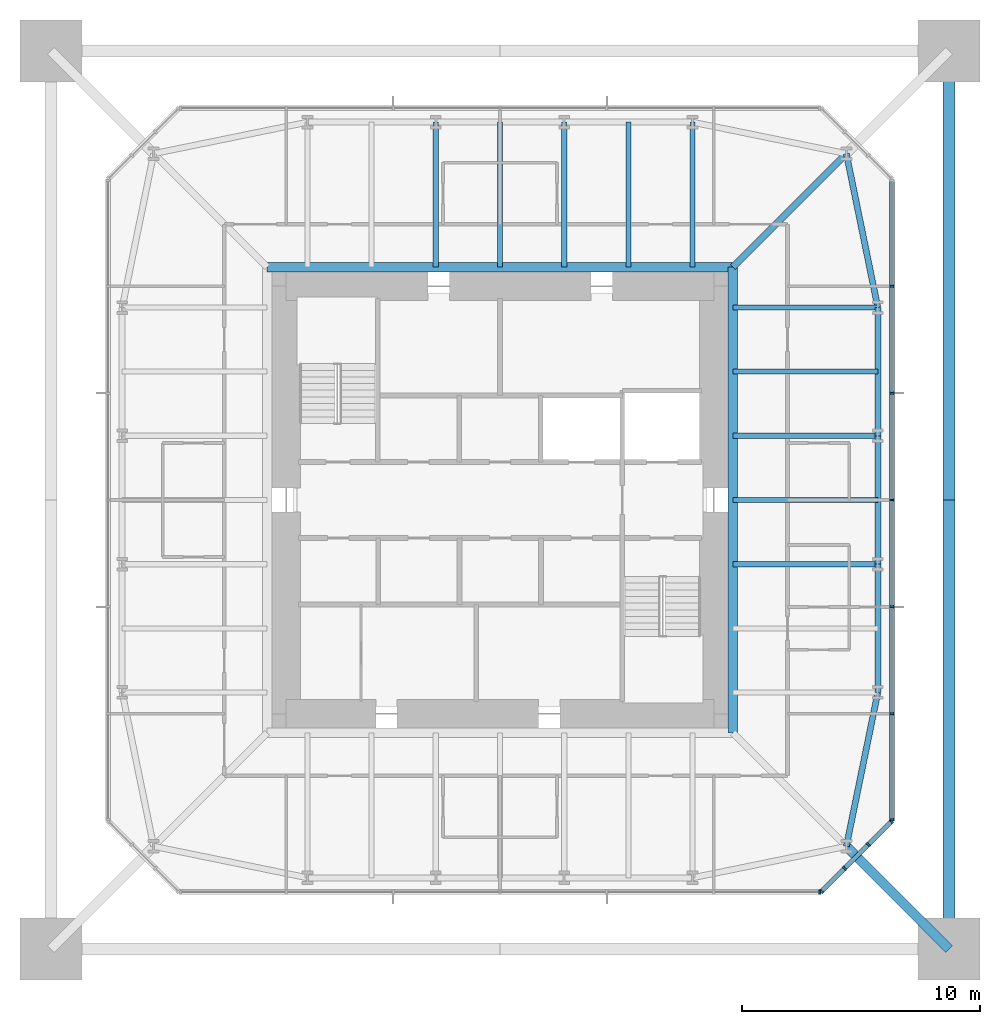
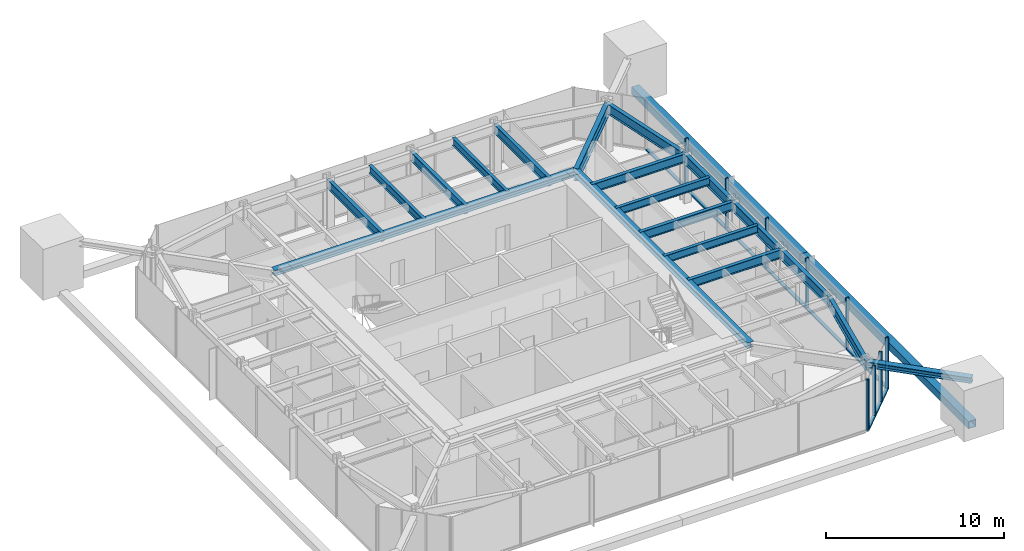
# One storey, part 4 of 10: 23 members, 18 beams, 3 elements without a shape of their own.
"""IFC4 building model written with IfcOpenShell, lengths in metres."""

import ifcopenshell
import ifcopenshell.guid

model = None  # the IFC model being written
_history = None  # IfcOwnerHistory: only IFC2X3 demands one
_inside = {}  # id of a spatial element -> (the spatial element, [elements in it])
_under = {}  # id of a project, library or spatial element -> (it, [spatial elements below it])
_declared = {}  # id of a project -> (the project, [libraries it declares])
_typed = {}  # id of a type object -> (the type object, [elements of that type])
_made_of = {}  # id of a material, layer set ... -> (it, [elements and type objects made of it])


def new_model(schema):
    """Start an empty IFC model of exactly this schema.

    Asked for "IFC4X3", IfcOpenShell would pick the latest addendum, in which some entities
    have other attributes; the version numbers below select the first issue.
    IFC2X3 requires an IfcOwnerHistory on every rooted entity: one is made here for all.
    """
    global model, _history
    if schema == "IFC4X3":
        model = ifcopenshell.file(schema_version=(4, 3, 0, 0))
    else:
        model = ifcopenshell.file(schema=schema)
    _inside.clear()
    _under.clear()
    _declared.clear()
    _typed.clear()
    _made_of.clear()
    _history = None
    if model.schema == "IFC2X3":
        org = make("IfcOrganization", Name="unknown")
        user = make(
            "IfcPersonAndOrganization",
            ThePerson=make("IfcPerson", FamilyName="unknown"),
            TheOrganization=org,
        )
        app = make(
            "IfcApplication",
            ApplicationDeveloper=org,
            Version="unknown",
            ApplicationFullName="unknown",
            ApplicationIdentifier="unknown",
        )
        _history = make(
            "IfcOwnerHistory",
            OwningUser=user,
            OwningApplication=app,
            ChangeAction="ADDED",
            CreationDate=0,
        )
    return model


def make(cls, **values):
    """One entity of the class cls with the attributes given. An attribute that is None is left unset."""
    return model.create_entity(
        cls, **{name: value for name, value in values.items() if value is not None}
    )


def rooted(cls, **values):
    """An entity with a GlobalId (a new one), such as an element, a storey or a relation."""
    return make(cls, GlobalId=ifcopenshell.guid.new(), OwnerHistory=_history, **values)


def si_unit(unit_type, name, prefix=None):
    """IfcSIUnit, for example si_unit("LENGTHUNIT", "METRE", prefix="MILLI")."""
    return make("IfcSIUnit", UnitType=unit_type, Prefix=prefix, Name=name)


def assignment(units):
    """IfcUnitAssignment: the units of a project."""
    return None if units is None else make("IfcUnitAssignment", Units=units)


def point(xyz):
    """IfcCartesianPoint."""
    return None if xyz is None else make("IfcCartesianPoint", Coordinates=xyz)


def direction(xyz):
    """IfcDirection."""
    return None if xyz is None else make("IfcDirection", DirectionRatios=xyz)


def frame(location, z_axis=None, x_axis=None):
    """IfcAxis2Placement3D, a coordinate frame: its origin and axes. An axis left out is left unset."""
    return make(
        "IfcAxis2Placement3D",
        Location=point(location),
        Axis=direction(z_axis),
        RefDirection=direction(x_axis),
    )


def frame_2d(location, x_axis=None):
    """IfcAxis2Placement2D, a coordinate frame in the plane: its origin and x axis."""
    return make(
        "IfcAxis2Placement2D", Location=point(location), RefDirection=direction(x_axis)
    )


def origin():
    """The frame at (0, 0, 0) with its axes left unset."""
    return frame((0.0, 0.0, 0.0))


def origin_2d():
    """The frame at (0, 0) in the plane with its x axis left unset."""
    return frame_2d((0.0, 0.0))


def place(relative_to, where):
    """IfcLocalPlacement: puts the frame where relative to a parent placement (None: the world)."""
    return make(
        "IfcLocalPlacement", PlacementRelTo=relative_to, RelativePlacement=where
    )


def context(
    kind, dimensions, precision=None, world=None, true_north=None, identifier=None
):
    """IfcGeometricRepresentationContext, for example the 3D "Model" context."""
    return make(
        "IfcGeometricRepresentationContext",
        ContextIdentifier=identifier,
        ContextType=kind,
        CoordinateSpaceDimension=dimensions,
        Precision=precision,
        WorldCoordinateSystem=world,
        TrueNorth=true_north,
    )


def subcontext(parent, identifier, kind, view, scale=None):
    """IfcGeometricRepresentationSubContext, for example "Body" below "Model"."""
    return make(
        "IfcGeometricRepresentationSubContext",
        ContextIdentifier=identifier,
        ContextType=kind,
        ParentContext=parent,
        TargetScale=scale,
        TargetView=view,
    )


def project(units=None, contexts=None):
    """IfcProject with its units and contexts."""
    return rooted(
        "IfcProject",
        Name="project",
        RepresentationContexts=contexts,
        UnitsInContext=assignment(units),
    )


def spatial(cls, under=None, at=None, **own):
    """A site, building, storey or space (cls), placed at a placement, below another one or the project."""
    s = rooted(cls, ObjectPlacement=at, **own)
    if under is not None:
        _under.setdefault(under.id(), (under, []))[1].append(s)
    return s


def profile(cls, at=None, kind="AREA", **sizes):
    """A parametric profile (cls). Its sizes go by their IFC names, for example OverallWidth=200.0."""
    return make(cls, ProfileType=kind, Position=at, **sizes)


def rectangle(**sizes):
    """IfcRectangleProfileDef."""
    return profile("IfcRectangleProfileDef", **sizes)


def hollow_rectangle(**sizes):
    """IfcRectangleHollowProfileDef."""
    return profile("IfcRectangleHollowProfileDef", **sizes)


def i_section(**sizes):
    """IfcIShapeProfileDef."""
    return profile("IfcIShapeProfileDef", **sizes)


def extrude(swept, where, along, depth):
    """IfcExtrudedAreaSolid: the profile swept, set in the frame where, extruded along a direction by depth."""
    return make(
        "IfcExtrudedAreaSolid",
        SweptArea=swept,
        Position=where,
        ExtrudedDirection=direction(along),
        Depth=depth,
    )


def shape(context_of_items, identifier, shape_type, items):
    """IfcShapeRepresentation: the items that make up one representation, for example the "Body"."""
    return make(
        "IfcShapeRepresentation",
        ContextOfItems=context_of_items,
        RepresentationIdentifier=identifier,
        RepresentationType=shape_type,
        Items=items,
    )


def material(Name=None, Category=None):
    """IfcMaterial."""
    return make("IfcMaterial", Name=Name, Category=Category)


def material_profile(
    of_material, cross_section, Name=None, Category=None, Priority=None
):
    """IfcMaterialProfile: a cross section and its material."""
    return make(
        "IfcMaterialProfile",
        Name=Name,
        Material=of_material,
        Profile=cross_section,
        Priority=Priority,
        Category=Category,
    )


def profile_set(profiles, Name=None, composite=None):
    """IfcMaterialProfileSet."""
    return make(
        "IfcMaterialProfileSet",
        Name=Name,
        MaterialProfiles=profiles,
        CompositeProfile=composite,
    )


def made_of(thing, what):
    """Note that an element or type object is made of a material, layer set ...; save() writes the relation."""
    if what is not None:
        _made_of.setdefault(what.id(), (what, []))[1].append(thing)
    return thing


def type_object(cls, material=None, **own):
    """A type object (cls), such as IfcWallType, which elements share."""
    return made_of(rooted(cls, **own), material)


def element(
    cls,
    number,
    at=None,
    inside=None,
    cuts=None,
    type_object=None,
    material=None,
    context=None,
    identifier="Body",
    shape_type=None,
    held_by="IfcProductDefinitionShape",
    body=None,
    shapes=None,
    **own,
):
    """One element of the class cls, such as IfcWall. Its Tag is "e" and its number.

    at: its placement. inside: the storey or other place that contains it. cuts: it is an
    opening in that element (IfcRelVoidsElement). A single representation is given by context,
    identifier, shape_type and body (its items); several are given by shapes. held_by: the class
    of the entity that holds the representations. save() writes the other relations.
    """
    e = rooted(cls, Tag="e%d" % number, ObjectPlacement=at, **own)
    if body is not None:
        shapes = [shape(context, identifier, shape_type, body)]
    if shapes is not None:
        e.Representation = make(held_by, Representations=shapes)
    if inside is not None:
        _inside.setdefault(inside.id(), (inside, []))[1].append(e)
    if cuts is not None:
        rooted(
            "IfcRelVoidsElement", RelatingBuildingElement=cuts, RelatedOpeningElement=e
        )
    if type_object is not None:
        _typed.setdefault(type_object.id(), (type_object, []))[1].append(e)
    return made_of(e, material)


def aggregate(whole, parts):
    """IfcRelAggregates: a whole, such as a stair, and the parts it consists of."""
    return rooted("IfcRelAggregates", RelatingObject=whole, RelatedObjects=parts)


def save(model, path):
    """Write the relations noted so far, then the file.

    IfcRelAggregates (storeys below a building ...), IfcRelContainedInSpatialStructure (elements
    in a storey), IfcRelDefinesByType, IfcRelAssociatesMaterial and IfcRelDeclares: one each for
    every whole, place, type object, material and project.
    """
    for whole, parts in _under.values():
        aggregate(whole, parts)
    for where, things in _inside.values():
        rooted(
            "IfcRelContainedInSpatialStructure",
            RelatedElements=things,
            RelatingStructure=where,
        )
    for kind, things in _typed.values():
        rooted("IfcRelDefinesByType", RelatedObjects=things, RelatingType=kind)
    for what, things in _made_of.values():
        rooted("IfcRelAssociatesMaterial", RelatedObjects=things, RelatingMaterial=what)
    for by, libraries in _declared.values():
        rooted("IfcRelDeclares", RelatingContext=by, RelatedDefinitions=libraries)
    model.write(path)


model = new_model("IFC4")

# Units and contexts
model_context = context("Model", 3, precision=1e-05, world=origin(), true_north=direction((0.0, 1.0)))
body_context = subcontext(model_context, "Body", "Model", "MODEL_VIEW")
ifc_project = project(units=[si_unit("LENGTHUNIT", "METRE"), si_unit("AREAUNIT", "SQUARE_METRE"), si_unit("VOLUMEUNIT", "CUBIC_METRE"), si_unit("PLANEANGLEUNIT", "RADIAN"), si_unit("MASSUNIT", "GRAM", prefix="KILO")], contexts=[model_context])

# Site, building, storey
site_placement = place(None, origin())
site = spatial("IfcSite", under=ifc_project, at=site_placement, CompositionType="ELEMENT")
building_placement = place(site_placement, origin())
building = spatial("IfcBuilding", under=site, at=building_placement, Name="Iwan Alto Co-Living Towers", CompositionType="ELEMENT")
storey_placement = place(building_placement, frame((0.0, 0.0, 253.5)))
storey = spatial("IfcBuildingStorey", under=building, at=storey_placement, Name="L69", CompositionType="ELEMENT", Elevation=253.5)

# Curtain wall, member
ifc_material_1 = material(Name="Bronze aluminium unitised frame", Category="aluminium")
curtain_wall_type_1 = type_object("IfcCurtainWallType", Name="CURTAIN WALL CW-A", PredefinedType="NOTDEFINED", material=ifc_material_1)
curtain_wall_1_placement = place(storey_placement, origin())
curtain_wall_1 = element("IfcCurtainWall", 1, at=curtain_wall_1_placement, inside=storey, type_object=curtain_wall_type_1, Name="T1 curtain wall S L69", PredefinedType="NOTDEFINED")
ifc_material_2 = material(Name="Aluminium 6063-T6 bronze anodised", Category="aluminium")
ifc_material_profile_1 = material_profile(ifc_material_2, rectangle(XDim=0.199951171875, YDim=0.080078125, at=origin_2d()), Name="AL 80X200")
ifc_profile_set_1 = profile_set([ifc_material_profile_1], Name="Aluminium 6063-T6 bronze anodised")
member_type_1 = type_object("IfcMemberType", Name="CW-A MULLION 80X200", PredefinedType="MULLION", material=ifc_profile_set_1)
member_1_placement = place(storey_placement, frame((13.4599609375, -16.5, 0.0), z_axis=(0.0, 0.0, 1.0), x_axis=(0.0, 1.0, 0.0)))
member_1 = element("IfcMember", 2, at=member_1_placement, type_object=member_type_1, Name="CW-A mullion 7", PredefinedType="MULLION", context=body_context, shape_type="SweptSolid", body=[
    extrude(rectangle(XDim=0.199951171875, YDim=0.080078125, at=origin_2d()), origin(), (0.0, 0.0, 1.0), 3.5),
])
aggregate(curtain_wall_1, [member_1])

# Curtain wall, members
curtain_wall_2_placement = place(storey_placement, origin())
curtain_wall_2 = element("IfcCurtainWall", 3, at=curtain_wall_2_placement, inside=storey, type_object=curtain_wall_type_1, Name="T1 curtain wall E L69", PredefinedType="NOTDEFINED")
member_2_placement = place(storey_placement, frame((16.5, -13.4599609375, 0.0), z_axis=(0.0, 0.0, 1.0), x_axis=(-1.0, 0.0, 0.0)))
member_2 = element("IfcMember", 4, at=member_2_placement, type_object=member_type_1, Name="CW-A mullion 1", PredefinedType="MULLION", context=body_context, shape_type="SweptSolid", body=[
    extrude(rectangle(XDim=0.199951171875, YDim=0.080078125, at=origin_2d()), origin(), (0.0, 0.0, 1.0), 3.5),
])
member_3_placement = place(storey_placement, frame((16.5, -9.0, 0.0), z_axis=(0.0, 0.0, 1.0), x_axis=(-1.0, 0.0, 0.0)))
member_3 = element("IfcMember", 5, at=member_3_placement, type_object=member_type_1, Name="CW-A mullion 2", PredefinedType="MULLION", context=body_context, shape_type="SweptSolid", body=[
    extrude(rectangle(XDim=0.199951171875, YDim=0.080078125, at=origin_2d()), origin(), (0.0, 0.0, 1.0), 3.5),
])
member_4_placement = place(storey_placement, frame((16.5, -4.5, 0.0), z_axis=(0.0, 0.0, 1.0), x_axis=(-1.0, 0.0, 0.0)))
member_4 = element("IfcMember", 6, at=member_4_placement, type_object=member_type_1, Name="CW-A mullion 3", PredefinedType="MULLION", context=body_context, shape_type="SweptSolid", body=[
    extrude(rectangle(XDim=0.199951171875, YDim=0.080078125, at=origin_2d()), origin(), (0.0, 0.0, 1.0), 3.5),
])
member_5_placement = place(storey_placement, frame((16.5, 0.0, 0.0), z_axis=(0.0, 0.0, 1.0), x_axis=(-1.0, 0.0, 0.0)))
member_5 = element("IfcMember", 7, at=member_5_placement, type_object=member_type_1, Name="CW-A mullion 4", PredefinedType="MULLION", context=body_context, shape_type="SweptSolid", body=[
    extrude(rectangle(XDim=0.199951171875, YDim=0.080078125, at=origin_2d()), origin(), (0.0, 0.0, 1.0), 3.5),
])
member_6_placement = place(storey_placement, frame((16.5, 4.5, 0.0), z_axis=(0.0, 0.0, 1.0), x_axis=(-1.0, 0.0, 0.0)))
member_6 = element("IfcMember", 8, at=member_6_placement, type_object=member_type_1, Name="CW-A mullion 5", PredefinedType="MULLION", context=body_context, shape_type="SweptSolid", body=[
    extrude(rectangle(XDim=0.199951171875, YDim=0.080078125, at=origin_2d()), origin(), (0.0, 0.0, 1.0), 3.5),
])
member_7_placement = place(storey_placement, frame((16.5, 9.0, 0.0), z_axis=(0.0, 0.0, 1.0), x_axis=(-1.0, 0.0, 0.0)))
member_7 = element("IfcMember", 9, at=member_7_placement, type_object=member_type_1, Name="CW-A mullion 6", PredefinedType="MULLION", context=body_context, shape_type="SweptSolid", body=[
    extrude(rectangle(XDim=0.199951171875, YDim=0.080078125, at=origin_2d()), origin(), (0.0, 0.0, 1.0), 3.5),
])
ifc_material_3 = material(Name="Aluminium 6063-T6 bronze anodised", Category="aluminium")
ifc_material_profile_2 = material_profile(ifc_material_3, rectangle(XDim=0.199951171875, YDim=0.10009765625, at=origin_2d()), Name="AL 200X100")
ifc_profile_set_2 = profile_set([ifc_material_profile_2], Name="Aluminium 6063-T6 bronze anodised")
member_type_2 = type_object("IfcMemberType", Name="CW-A TRANSOM 200X100", PredefinedType="USERDEFINED", material=ifc_profile_set_2)
member_8_placement = place(storey_placement, frame((16.5, -13.419921875, 0.050048828125), z_axis=(0.0, 1.0, 0.0), x_axis=(-1.0, 0.0, 0.0)))
member_8 = element("IfcMember", 10, at=member_8_placement, type_object=member_type_2, Name="CW-A transom 1.1", ObjectType="TRANSOM", PredefinedType="USERDEFINED", context=body_context, shape_type="SweptSolid", body=[
    extrude(rectangle(XDim=0.199951171875, YDim=0.10009765625, at=origin_2d()), origin(), (0.0, 0.0, 1.0), 4.3798828125),
])
member_9_placement = place(storey_placement, frame((16.5, -8.9599609375, 0.050048828125), z_axis=(0.0, 1.0, 0.0), x_axis=(-1.0, 0.0, 0.0)))
member_9 = element("IfcMember", 11, at=member_9_placement, type_object=member_type_2, Name="CW-A transom 2.1", ObjectType="TRANSOM", PredefinedType="USERDEFINED", context=body_context, shape_type="SweptSolid", body=[
    extrude(rectangle(XDim=0.199951171875, YDim=0.10009765625, at=origin_2d()), origin(), (0.0, 0.0, 1.0), 4.419921875),
])
member_10_placement = place(storey_placement, frame((16.5, -4.4599609375, 0.050048828125), z_axis=(0.0, 1.0, 0.0), x_axis=(-1.0, 0.0, 0.0)))
member_10 = element("IfcMember", 12, at=member_10_placement, type_object=member_type_2, Name="CW-A transom 3.1", ObjectType="TRANSOM", PredefinedType="USERDEFINED", context=body_context, shape_type="SweptSolid", body=[
    extrude(rectangle(XDim=0.199951171875, YDim=0.10009765625, at=origin_2d()), origin(), (0.0, 0.0, 1.0), 4.419921875),
])
member_11_placement = place(storey_placement, frame((16.5, 0.0400390625, 0.050048828125), z_axis=(0.0, 1.0, 0.0), x_axis=(-1.0, 0.0, 0.0)))
member_11 = element("IfcMember", 13, at=member_11_placement, type_object=member_type_2, Name="CW-A transom 4.1", ObjectType="TRANSOM", PredefinedType="USERDEFINED", context=body_context, shape_type="SweptSolid", body=[
    extrude(rectangle(XDim=0.199951171875, YDim=0.10009765625, at=origin_2d()), origin(), (0.0, 0.0, 1.0), 4.419921875),
])
member_12_placement = place(storey_placement, frame((16.5, 4.5400390625, 0.050048828125), z_axis=(0.0, 1.0, 0.0), x_axis=(-1.0, 0.0, 0.0)))
member_12 = element("IfcMember", 14, at=member_12_placement, type_object=member_type_2, Name="CW-A transom 5.1", ObjectType="TRANSOM", PredefinedType="USERDEFINED", context=body_context, shape_type="SweptSolid", body=[
    extrude(rectangle(XDim=0.199951171875, YDim=0.10009765625, at=origin_2d()), origin(), (0.0, 0.0, 1.0), 4.419921875),
])
member_13_placement = place(storey_placement, frame((16.5, 9.0400390625, 0.050048828125), z_axis=(0.0, 1.0, 0.0), x_axis=(-1.0, 0.0, 0.0)))
member_13 = element("IfcMember", 15, at=member_13_placement, type_object=member_type_2, Name="CW-A transom 6.1", ObjectType="TRANSOM", PredefinedType="USERDEFINED", context=body_context, shape_type="SweptSolid", body=[
    extrude(rectangle(XDim=0.199951171875, YDim=0.10009765625, at=origin_2d()), origin(), (0.0, 0.0, 1.0), 4.3798828125),
])
aggregate(curtain_wall_2, [member_2, member_3, member_4, member_5, member_6, member_7, member_8, member_9, member_10, member_11, member_12, member_13])

ifc_material_4 = material(Name="Bronze aluminium unitised frame", Category="aluminium")
curtain_wall_type_2 = type_object("IfcCurtainWallType", Name="CURTAIN WALL CW-B", PredefinedType="NOTDEFINED", material=ifc_material_4)
curtain_wall_3_placement = place(storey_placement, origin())
curtain_wall_3 = element("IfcCurtainWall", 16, at=curtain_wall_3_placement, inside=storey, type_object=curtain_wall_type_2, Name="T1 chamfer curtain wall SE L69", PredefinedType="NOTDEFINED")
ifc_material_5 = material(Name="Aluminium 6063-T6 bronze anodised", Category="aluminium")
ifc_material_profile_3 = material_profile(ifc_material_5, rectangle(XDim=0.199951171875, YDim=0.080078125, at=origin_2d()), Name="AL 80X200")
ifc_profile_set_3 = profile_set([ifc_material_profile_3], Name="Aluminium 6063-T6 bronze anodised")
member_type_3 = type_object("IfcMemberType", Name="CW-B MULLION 80X200", PredefinedType="MULLION", material=ifc_profile_set_3)
member_14_placement = place(storey_placement, frame((13.5283203125, -16.4716796875, 0.0), z_axis=(0.0, 0.0, 1.0), x_axis=(-0.707106781187, 0.707106781187, 0.0)))
member_14 = element("IfcMember", 17, at=member_14_placement, type_object=member_type_3, Name="CW-B mullion 1", PredefinedType="MULLION", context=body_context, shape_type="SweptSolid", body=[
    extrude(rectangle(XDim=0.199951171875, YDim=0.080078125, at=origin_2d()), origin(), (0.0, 0.0, 1.0), 3.5),
])
member_15_placement = place(storey_placement, frame((14.5, -15.5, 0.0), z_axis=(0.0, 0.0, 1.0), x_axis=(-0.707106781187, 0.707106781187, 0.0)))
member_15 = element("IfcMember", 18, at=member_15_placement, type_object=member_type_3, Name="CW-B mullion 2", PredefinedType="MULLION", context=body_context, shape_type="SweptSolid", body=[
    extrude(rectangle(XDim=0.199951171875, YDim=0.080078125, at=origin_2d()), origin(), (0.0, 0.0, 1.0), 3.5),
])
member_16_placement = place(storey_placement, frame((15.5, -14.5, 0.0), z_axis=(0.0, 0.0, 1.0), x_axis=(-0.707106781187, 0.707106781187, 0.0)))
member_16 = element("IfcMember", 19, at=member_16_placement, type_object=member_type_3, Name="CW-B mullion 3", PredefinedType="MULLION", context=body_context, shape_type="SweptSolid", body=[
    extrude(rectangle(XDim=0.199951171875, YDim=0.080078125, at=origin_2d()), origin(), (0.0, 0.0, 1.0), 3.5),
])
member_17_placement = place(storey_placement, frame((16.4716796875, -13.5283203125, 0.0), z_axis=(0.0, 0.0, 1.0), x_axis=(-0.707106781187, 0.707106781187, 0.0)))
member_17 = element("IfcMember", 20, at=member_17_placement, type_object=member_type_3, Name="CW-B mullion 4", PredefinedType="MULLION", context=body_context, shape_type="SweptSolid", body=[
    extrude(rectangle(XDim=0.199951171875, YDim=0.080078125, at=origin_2d()), origin(), (0.0, 0.0, 1.0), 3.5),
])
ifc_material_6 = material(Name="Aluminium 6063-T6 bronze anodised", Category="aluminium")
ifc_material_profile_4 = material_profile(ifc_material_6, rectangle(XDim=0.199951171875, YDim=0.10009765625, at=origin_2d()), Name="AL 200X100")
ifc_profile_set_4 = profile_set([ifc_material_profile_4], Name="Aluminium 6063-T6 bronze anodised")
member_type_4 = type_object("IfcMemberType", Name="CW-B TRANSOM 200X100", PredefinedType="USERDEFINED", material=ifc_profile_set_4)
member_18_placement = place(storey_placement, frame((13.556640625, -16.443359375, 0.050048828125), z_axis=(0.707106781187, 0.707106781187, 0.0), x_axis=(-0.707106781187, 0.707106781187, 0.0)))
member_18 = element("IfcMember", 21, at=member_18_placement, type_object=member_type_4, Name="CW-B transom 1.1", ObjectType="TRANSOM", PredefinedType="USERDEFINED", context=body_context, shape_type="SweptSolid", body=[
    extrude(rectangle(XDim=0.199951171875, YDim=0.10009765625, at=origin_2d()), origin(), (0.0, 0.0, 1.0), 1.2939453125),
])
member_19_placement = place(storey_placement, frame((14.5283203125, -15.4716796875, 0.050048828125), z_axis=(0.707106781187, 0.707106781187, 0.0), x_axis=(-0.707106781187, 0.707106781187, 0.0)))
member_19 = element("IfcMember", 22, at=member_19_placement, type_object=member_type_4, Name="CW-B transom 2.1", ObjectType="TRANSOM", PredefinedType="USERDEFINED", context=body_context, shape_type="SweptSolid", body=[
    extrude(rectangle(XDim=0.199951171875, YDim=0.10009765625, at=origin_2d()), origin(), (0.0, 0.0, 1.0), 1.334228515625),
])
member_20_placement = place(storey_placement, frame((15.5283203125, -14.4716796875, 0.050048828125), z_axis=(0.707106781187, 0.707106781187, 0.0), x_axis=(-0.707106781187, 0.707106781187, 0.0)))
member_20 = element("IfcMember", 23, at=member_20_placement, type_object=member_type_4, Name="CW-B transom 3.1", ObjectType="TRANSOM", PredefinedType="USERDEFINED", context=body_context, shape_type="SweptSolid", body=[
    extrude(rectangle(XDim=0.199951171875, YDim=0.10009765625, at=origin_2d()), origin(), (0.0, 0.0, 1.0), 1.2939453125),
])
aggregate(curtain_wall_3, [member_14, member_15, member_16, member_17, member_18, member_19, member_20])

# Beams
ifc_material_7 = material(Name="Steel ASTM A992 Gr 50", Category="steel")
ifc_material_profile_5 = material_profile(ifc_material_7, i_section(OverallWidth=0.398681640625, OverallDepth=0.385986328125, WebThickness=0.02099609375, FlangeThickness=0.033203125, at=origin_2d()), Name="W14X176")
ifc_profile_set_5 = profile_set([ifc_material_profile_5], Name="Steel ASTM A992 Gr 50")
beam_type_1 = type_object("IfcBeamType", Name="T1 CORE LEDGER BEAM W14X176", PredefinedType="BEAM", material=ifc_profile_set_5)
for number, where, z_axis, x_axis, name in (
    (24, (9.79931640625, -9.79931640625, 3.076904296875), (0.0, 1.0, 0.0), (-1.0, 0.0, 0.0), "T1 core ledger beam E L70"),
    (25, (9.79931640625, 9.79931640625, 3.076904296875), (-1.0, 0.0, 0.0), (0.0, -1.0, 0.0), "T1 core ledger beam N L70"),
):
    element("IfcBeam", number, at=place(storey_placement, frame(where, z_axis=z_axis, x_axis=x_axis)), inside=storey, type_object=beam_type_1, Name=name, PredefinedType="BEAM", context=body_context, shape_type="SweptSolid", body=[
        extrude(i_section(OverallWidth=0.398681640625, OverallDepth=0.385986328125, WebThickness=0.02099609375, FlangeThickness=0.033203125, at=origin_2d()), origin(), (0.0, 0.0, 1.0), 19.5986328125),
    ])
ifc_material_8 = material(Name="Steel ASTM A992 Gr 50", Category="steel")
ifc_material_profile_6 = material_profile(ifc_material_8, i_section(OverallWidth=0.2919921875, OverallDepth=0.8408203125, WebThickness=0.0146484375, FlangeThickness=0.021728515625, at=origin_2d()), Name="W33X130")
ifc_profile_set_6 = profile_set([ifc_material_profile_6], Name="Steel ASTM A992 Gr 50")
beam_type_2 = type_object("IfcBeamType", Name="T1 CORNER GIRDER W33X130", PredefinedType="BEAM", material=ifc_profile_set_6)
beam_1_placement = place(storey_placement, frame((14.57568359375, 14.57568359375, 2.849609375), z_axis=(-0.707106781187, -0.707106781187, 0.0), x_axis=(0.707106781187, -0.707106781187, 0.0)))
element("IfcBeam", 26, at=beam_1_placement, inside=storey, type_object=beam_type_2, Name="T1 corner girder CNE L70", PredefinedType="BEAM", context=body_context, shape_type="SweptSolid", body=[
    extrude(i_section(OverallWidth=0.2919921875, OverallDepth=0.8408203125, WebThickness=0.0146484375, FlangeThickness=0.021728515625, at=origin_2d()), origin(), (0.0, 0.0, 1.0), 6.7548828125),
])
ifc_material_9 = material(Name="Steel ASTM A992 Gr 50", Category="steel")
ifc_material_profile_7 = material_profile(ifc_material_9, i_section(OverallWidth=0.25390625, OverallDepth=0.683349609375, WebThickness=0.012451171875, FlangeThickness=0.018798828125, at=origin_2d()), Name="W27X94")
ifc_profile_set_7 = profile_set([ifc_material_profile_7], Name="Steel ASTM A992 Gr 50")
beam_type_3 = type_object("IfcBeamType", Name="T1 EDGE BEAM W27X94", PredefinedType="BEAM", material=ifc_profile_set_7)
beam_2_placement = place(storey_placement, frame((14.57568359375, -14.57568359375, 2.928466796875), z_axis=(0.200347889618, 0.979724820103, 0.0), x_axis=(-0.979724820103, 0.200347889618, 0.0)))
element("IfcBeam", 27, at=beam_2_placement, inside=storey, type_object=beam_type_3, Name="T1 edge beam CSE L70", PredefinedType="BEAM", context=body_context, shape_type="SweptSolid", body=[
    extrude(i_section(OverallWidth=0.25390625, OverallDepth=0.683349609375, WebThickness=0.012451171875, FlangeThickness=0.018798828125, at=origin_2d()), origin(), (0.0, 0.0, 1.0), 6.609619140625),
])
beam_3_placement = place(storey_placement, frame((15.89990234375, -8.10009765625, 2.928466796875), z_axis=(0.0, 1.0, 0.0), x_axis=(-1.0, 0.0, 0.0)))
element("IfcBeam", 28, at=beam_3_placement, inside=storey, type_object=beam_type_3, Name="T1 edge beam E1 L70", PredefinedType="BEAM", context=body_context, shape_type="SweptSolid", body=[
    extrude(i_section(OverallWidth=0.25390625, OverallDepth=0.683349609375, WebThickness=0.012451171875, FlangeThickness=0.018798828125, at=origin_2d()), origin(), (0.0, 0.0, 1.0), 5.400146484375),
])
beam_4_placement = place(storey_placement, frame((15.89990234375, -2.699951171875, 2.928466796875), z_axis=(0.0, 1.0, 0.0), x_axis=(-1.0, 0.0, 0.0)))
element("IfcBeam", 29, at=beam_4_placement, inside=storey, type_object=beam_type_3, Name="T1 edge beam E2 L70", PredefinedType="BEAM", context=body_context, shape_type="SweptSolid", body=[
    extrude(i_section(OverallWidth=0.25390625, OverallDepth=0.683349609375, WebThickness=0.012451171875, FlangeThickness=0.018798828125, at=origin_2d()), origin(), (0.0, 0.0, 1.0), 5.39990234375),
])
beam_5_placement = place(storey_placement, frame((15.89990234375, 2.699951171875, 2.928466796875), z_axis=(0.0, 1.0, 0.0), x_axis=(-1.0, 0.0, 0.0)))
element("IfcBeam", 30, at=beam_5_placement, inside=storey, type_object=beam_type_3, Name="T1 edge beam E3 L70", PredefinedType="BEAM", context=body_context, shape_type="SweptSolid", body=[
    extrude(i_section(OverallWidth=0.25390625, OverallDepth=0.683349609375, WebThickness=0.012451171875, FlangeThickness=0.018798828125, at=origin_2d()), origin(), (0.0, 0.0, 1.0), 5.400146484375),
])
beam_6_placement = place(storey_placement, frame((15.89990234375, 8.10009765625, 2.928466796875), z_axis=(-0.200347889618, 0.979724820103, 0.0), x_axis=(-0.979724820103, -0.200347889618, 0.0)))
element("IfcBeam", 31, at=beam_6_placement, inside=storey, type_object=beam_type_3, Name="T1 edge beam E4 L70", PredefinedType="BEAM", context=body_context, shape_type="SweptSolid", body=[
    extrude(i_section(OverallWidth=0.25390625, OverallDepth=0.683349609375, WebThickness=0.012451171875, FlangeThickness=0.018798828125, at=origin_2d()), origin(), (0.0, 0.0, 1.0), 6.609619140625),
])

# Members
ifc_material_10 = material(Name="Steel ASTM A992 Gr 50", Category="steel")
ifc_material_profile_8 = material_profile(ifc_material_10, i_section(OverallWidth=0.393798828125, OverallDepth=0.3759765625, WebThickness=0.017333984375, FlangeThickness=0.027587890625, at=origin_2d()), Name="W14X145")
ifc_profile_set_8 = profile_set([ifc_material_profile_8], Name="Steel ASTM A992 Gr 50")
member_type_5 = type_object("IfcMemberType", Name="T1 MEGA COLUMN FLOOR TIE W14X145", PredefinedType="STRUT", material=ifc_profile_set_8)
member_21_placement = place(storey_placement, frame((18.89990234375, -18.89990234375, 3.08203125), z_axis=(-0.707106781187, 0.707106781187, 0.0), x_axis=(-0.707106781187, -0.707106781187, 0.0)))
element("IfcMember", 32, at=member_21_placement, inside=storey, type_object=member_type_5, Name="T1 mega column floor tie SE L70", PredefinedType="STRUT", context=body_context, shape_type="SweptSolid", body=[
    extrude(i_section(OverallWidth=0.393798828125, OverallDepth=0.3759765625, WebThickness=0.017333984375, FlangeThickness=0.027587890625, at=origin_2d()), origin(), (0.0, 0.0, 1.0), 6.115478515625),
])
ifc_material_11 = material(Name="Steel ASTM A572 Gr 50", Category="steel")
ifc_material_profile_9 = material_profile(ifc_material_11, hollow_rectangle(XDim=0.5, YDim=0.5, WallThickness=0.031982421875, at=origin_2d()), Name="BOX 500X500X32")
ifc_profile_set_9 = profile_set([ifc_material_profile_9], Name="Steel ASTM A572 Gr 50")
member_type_6 = type_object("IfcMemberType", Name="T1 MEGA TIE BOX 500X500X32", PredefinedType="STRUT", material=ifc_profile_set_9)
for number, where, z_axis, x_axis, name in (
    (33, (18.89990234375, -18.89990234375, 0.0), (0.0, 1.0, 0.0), (-1.0, 0.0, 0.0), "T1 mega tie Z4B E 1"),
    (34, (18.89990234375, 0.0, 0.0), (0.0, 1.0, 0.0), (-1.0, 0.0, 0.0), "T1 mega tie Z4B E 2"),
):
    element("IfcMember", number, at=place(storey_placement, frame(where, z_axis=z_axis, x_axis=x_axis)), inside=storey, type_object=member_type_6, Name=name, PredefinedType="STRUT", context=body_context, shape_type="SweptSolid", body=[
        extrude(hollow_rectangle(XDim=0.5, YDim=0.5, WallThickness=0.031982421875, at=origin_2d()), origin(), (0.0, 0.0, 1.0), 18.89990234375),
    ])

# Beams
ifc_material_12 = material(Name="Steel ASTM A992 Gr 50", Category="steel")
ifc_material_profile_10 = material_profile(ifc_material_12, i_section(OverallWidth=0.228271484375, OverallDepth=0.607177734375, WebThickness=0.01123046875, FlangeThickness=0.017333984375, at=origin_2d()), Name="W24X76")
ifc_profile_set_10 = profile_set([ifc_material_profile_10], Name="Steel ASTM A992 Gr 50")
beam_type_4 = type_object("IfcBeamType", Name="T1 RADIAL BEAM W24X76", PredefinedType="BEAM", material=ifc_profile_set_10)
for number, where, z_axis, x_axis, name in (
    (35, (15.89990234375, -2.699951171875, 2.966552734375), (-1.0, 0.0, 0.0), (0.0, -1.0, 0.0), "T1 radial beam E2 L70"),
    (36, (15.89990234375, 2.699951171875, 2.966552734375), (-1.0, 0.0, 0.0), (0.0, -1.0, 0.0), "T1 radial beam E3 L70"),
    (37, (15.89990234375, 8.10009765625, 2.966552734375), (-1.0, 0.0, 0.0), (0.0, -1.0, 0.0), "T1 radial beam E4 L70"),
    (38, (8.10009765625, 15.89990234375, 2.966552734375), (0.0, -1.0, 0.0), (1.0, 0.0, 0.0), "T1 radial beam N1 L70"),
    (39, (2.699951171875, 15.89990234375, 2.966552734375), (0.0, -1.0, 0.0), (1.0, 0.0, 0.0), "T1 radial beam N2 L70"),
    (40, (-2.699951171875, 15.89990234375, 2.966552734375), (0.0, -1.0, 0.0), (1.0, 0.0, 0.0), "T1 radial beam N3 L70"),
):
    element("IfcBeam", number, at=place(storey_placement, frame(where, z_axis=z_axis, x_axis=x_axis)), inside=storey, type_object=beam_type_4, Name=name, PredefinedType="BEAM", context=body_context, shape_type="SweptSolid", body=[
        extrude(i_section(OverallWidth=0.228271484375, OverallDepth=0.607177734375, WebThickness=0.01123046875, FlangeThickness=0.017333984375, at=origin_2d()), origin(), (0.0, 0.0, 1.0), 6.1005859375),
    ])
ifc_material_13 = material(Name="Steel ASTM A992 Gr 50", Category="steel")
ifc_material_profile_11 = material_profile(ifc_material_13, i_section(OverallWidth=0.209228515625, OverallDepth=0.533447265625, WebThickness=0.01025390625, FlangeThickness=0.015625, at=origin_2d()), Name="W21X62")
ifc_profile_set_11 = profile_set([ifc_material_profile_11], Name="Steel ASTM A992 Gr 50")
beam_type_5 = type_object("IfcBeamType", Name="T1 SECONDARY BEAM W21X62", PredefinedType="JOIST", material=ifc_profile_set_11)
for number, where, z_axis, x_axis, name in (
    (41, (15.89990234375, 0.0, 3.00341796875), (-1.0, 0.0, 0.0), (0.0, -1.0, 0.0), "T1 secondary beam E2 L70"),
    (42, (15.89990234375, 5.39990234375, 3.00341796875), (-1.0, 0.0, 0.0), (0.0, -1.0, 0.0), "T1 secondary beam E3 L70"),
    (43, (5.39990234375, 15.89990234375, 3.00341796875), (0.0, -1.0, 0.0), (1.0, 0.0, 0.0), "T1 secondary beam N1 L70"),
    (44, (0.0, 15.89990234375, 3.00341796875), (0.0, -1.0, 0.0), (1.0, 0.0, 0.0), "T1 secondary beam N2 L70"),
):
    element("IfcBeam", number, at=place(storey_placement, frame(where, z_axis=z_axis, x_axis=x_axis)), inside=storey, type_object=beam_type_5, Name=name, PredefinedType="JOIST", context=body_context, shape_type="SweptSolid", body=[
        extrude(i_section(OverallWidth=0.209228515625, OverallDepth=0.533447265625, WebThickness=0.01025390625, FlangeThickness=0.015625, at=origin_2d()), origin(), (0.0, 0.0, 1.0), 6.1005859375),
    ])

save(model, "model.ifc")
